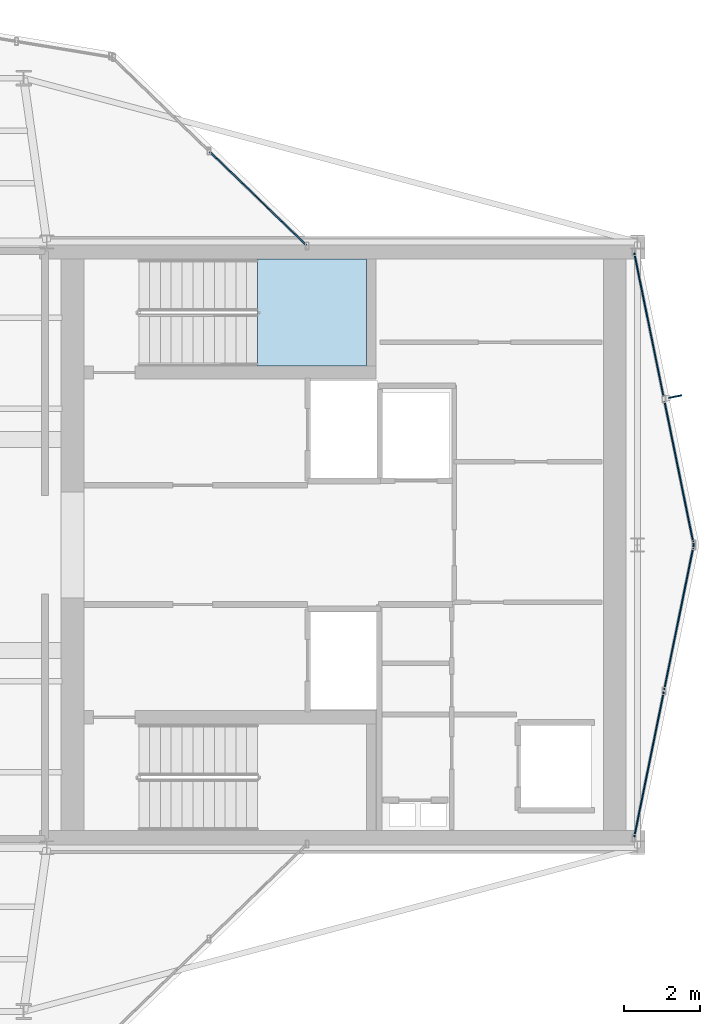
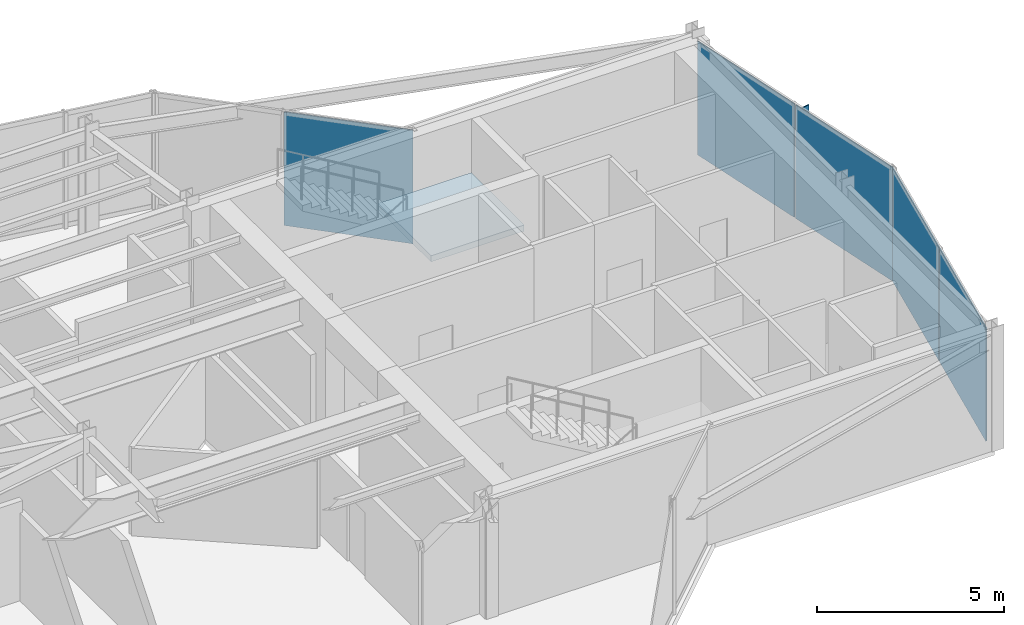
# One storey, part 13 of 16: 6 plates, 1 slab, 4 elements without a shape of their own.
"""IFC4 building model written with IfcOpenShell, lengths in metres."""

from ifc_helpers import new_model, si_unit, direction, frame, origin, origin_2d, place, context, subcontext, project, spatial, polyline, rectangle, outline, extrude, material, layer, layer_set, type_object, element, aggregate, save


model = new_model("IFC4")

# Units and contexts
model_context = context("Model", 3, precision=1e-05, world=origin(), true_north=direction((0.0, 1.0)))
body_context = subcontext(model_context, "Body", "Model", "MODEL_VIEW")
ifc_project = project(units=[si_unit("LENGTHUNIT", "METRE"), si_unit("AREAUNIT", "SQUARE_METRE"), si_unit("VOLUMEUNIT", "CUBIC_METRE"), si_unit("PLANEANGLEUNIT", "RADIAN"), si_unit("MASSUNIT", "GRAM", prefix="KILO")], contexts=[model_context])

# Site, building, storey
site_placement = place(None, origin())
site = spatial("IfcSite", under=ifc_project, at=site_placement, CompositionType="ELEMENT")
building_placement = place(site_placement, origin())
building = spatial("IfcBuilding", under=site, at=building_placement, Name="Veymaron Broadcast Tower", CompositionType="ELEMENT")
storey_placement = place(building_placement, frame((0.0, 0.0, 315.449951171875)))
storey = spatial("IfcBuildingStorey", under=building, at=storey_placement, Name="L74", CompositionType="ELEMENT", Elevation=315.449951171875)

# Curtain wall, plates
ifc_material_1 = material(Name="Anodised aluminium AA 6063-T6 and laminated low-E dark glass", Category="aluminium")
ifc_layer_1 = layer(ifc_material_1, 0.179931640625)
ifc_layer_set_1 = layer_set([ifc_layer_1], Name="Anodised aluminium AA 6063-T6 and laminated low-E dark glass")
curtain_wall_type = type_object("IfcCurtainWallType", Name="CW-SYS-07", PredefinedType="NOTDEFINED", material=ifc_layer_set_1)
curtain_wall_1_placement = place(storey_placement, origin())
curtain_wall_1 = element("IfcCurtainWall", 1, at=curtain_wall_1_placement, inside=storey, type_object=curtain_wall_type, Name="L74 dark-glass curtain wall CW-L74-E10-1", PredefinedType="NOTDEFINED")
ifc_material_2 = material(Name="Triple-laminated solar-control dark glass IGU 36 mm", Category="glass")
ifc_layer_2 = layer(ifc_material_2, 0.035888671875)
ifc_layer_set_2 = layer_set([ifc_layer_2], Name="Triple-laminated solar-control dark glass IGU 36 mm")
plate_type_1 = type_object("IfcPlateType", Name="CW-PNL-01", PredefinedType="CURTAIN_PANEL", material=ifc_layer_set_2)
plate_1_placement = place(storey_placement, frame((54.905517578125, 18.200927734375, 0.0400390625), z_axis=(0.0, 0.0, 1.0), x_axis=(0.199607369238, 0.979875960592, 0.0)))
plate_1 = element("IfcPlate", 2, at=plate_1_placement, type_object=plate_type_1, Name="CW-L74-E10-1 unitised curtain panel 0", PredefinedType="CURTAIN_PANEL", context=body_context, shape_type="SweptSolid", body=[
    extrude(rectangle(XDim=3.904296875, YDim=0.035888671875, at=origin_2d()), origin(), (0.0, 0.0, 1.0), 3.699951171875),
])
plate_2_placement = place(storey_placement, frame((55.69677734375, 22.085693359375, 0.0400390625), z_axis=(0.0, 0.0, 1.0), x_axis=(0.199607369238, 0.979875960592, 0.0)))
plate_2 = element("IfcPlate", 3, at=plate_2_placement, type_object=plate_type_1, Name="CW-L74-E10-1 unitised curtain panel 1", PredefinedType="CURTAIN_PANEL", context=body_context, shape_type="SweptSolid", body=[
    extrude(rectangle(XDim=3.904296875, YDim=0.035888671875, at=origin_2d()), origin(), (0.0, 0.0, 1.0), 3.699951171875),
])
aggregate(curtain_wall_1, [plate_1, plate_2])

curtain_wall_2_placement = place(storey_placement, origin())
curtain_wall_2 = element("IfcCurtainWall", 4, at=curtain_wall_2_placement, inside=storey, type_object=curtain_wall_type, Name="L74 dark-glass curtain wall CW-L74-E11-1", PredefinedType="NOTDEFINED")
plate_3_placement = place(storey_placement, frame((55.69677734375, 25.914306640625, 0.0400390625), z_axis=(0.0, 0.0, 1.0), x_axis=(-0.199607369238, 0.979875960592, 0.0)))
plate_3 = element("IfcPlate", 5, at=plate_3_placement, type_object=plate_type_1, Name="CW-L74-E11-1 unitised curtain panel 0", PredefinedType="CURTAIN_PANEL", context=body_context, shape_type="SweptSolid", body=[
    extrude(rectangle(XDim=3.904296875, YDim=0.035888671875, at=origin_2d()), origin(), (0.0, 0.0, 1.0), 3.699951171875),
])
plate_4_placement = place(storey_placement, frame((54.905517578125, 29.799072265625, 0.0400390625), z_axis=(0.0, 0.0, 1.0), x_axis=(-0.199607369238, 0.979875960592, 0.0)))
plate_4 = element("IfcPlate", 6, at=plate_4_placement, type_object=plate_type_1, Name="CW-L74-E11-1 unitised curtain panel 1", PredefinedType="CURTAIN_PANEL", context=body_context, shape_type="SweptSolid", body=[
    extrude(rectangle(XDim=3.904296875, YDim=0.035888671875, at=origin_2d()), origin(), (0.0, 0.0, 1.0), 3.699951171875),
])
aggregate(curtain_wall_2, [plate_3, plate_4])

# Curtain wall, plate
curtain_wall_3_placement = place(storey_placement, origin())
curtain_wall_3 = element("IfcCurtainWall", 7, at=curtain_wall_3_placement, inside=storey, type_object=curtain_wall_type, Name="L74 dark-glass curtain wall CW-L74-E13-1", PredefinedType="NOTDEFINED")
plate_5_placement = place(storey_placement, frame((44.578369140625, 33.152099609375, 0.0400390625), z_axis=(0.0, 0.0, 1.0), x_axis=(-0.719097275004, 0.694909425092, 0.0)))
plate_5 = element("IfcPlate", 8, at=plate_5_placement, type_object=plate_type_1, Name="CW-L74-E13-1 unitised curtain panel 0", PredefinedType="CURTAIN_PANEL", context=body_context, shape_type="SweptSolid", body=[
    extrude(rectangle(XDim=3.545654296875, YDim=0.035888671875, at=origin_2d()), origin(), (0.0, 0.0, 1.0), 3.699951171875),
])
aggregate(curtain_wall_3, [plate_5])

# Plate
ifc_material_3 = material(Name="Dark-anodised aluminium AA 6061-T6", Category="aluminium")
ifc_layer_3 = layer(ifc_material_3, 0.030029296875)
ifc_layer_set_3 = layer_set([ifc_layer_3], Name="Dark-anodised aluminium AA 6061-T6")
plate_type_2 = type_object("IfcPlateType", Name="FIN-CHEV-02", PredefinedType="USERDEFINED", material=ifc_layer_set_3)
plate_6_placement = place(storey_placement, frame((55.60009765625, 27.91748046875, 0.2646484375), z_axis=(0.0, 0.0, 1.0), x_axis=(0.979875960592, 0.199607369238, 0.0)))
element("IfcPlate", 9, at=plate_6_placement, inside=storey, type_object=plate_type_2, Name="CW-L74-E11-1 chevron fin 1", ObjectType="FIN", PredefinedType="USERDEFINED", context=body_context, shape_type="SweptSolid", body=[
    extrude(rectangle(XDim=0.35009765625, YDim=0.034912109375, at=origin_2d()), origin(), (0.0, 0.0, 1.0), 3.250732421875),
])

# Stair, slab
ifc_material_4 = material(Name="Concrete C50/60", Category="concrete")
stair_type = type_object("IfcStairType", Name="STAIR-CORE-1", PredefinedType="HALF_TURN_STAIR", material=ifc_material_4)
stair_placement = place(storey_placement, origin())
stair = element("IfcStair", 10, at=stair_placement, inside=storey, type_object=stair_type, Name="L74 North protected dog-leg exit stair ST1", PredefinedType="HALF_TURN_STAIR")
ifc_layer_4 = layer(ifc_material_4, 0.199951171875)
ifc_layer_set_4 = layer_set([ifc_layer_4], Name="Concrete C50/60")
slab_type = type_object("IfcSlabType", Name="SLAB-STAIR-LDG", PredefinedType="LANDING", material=ifc_layer_set_4)
slab_placement = place(storey_placement, frame((0.0, 0.0, 1.824951171875)))
slab = element("IfcSlab", 11, at=slab_placement, type_object=slab_type, Name="ST1 landing 1", PredefinedType="LANDING", context=body_context, shape_type="SweptSolid", body=[
    extrude(outline(polyline([(44.56494140625, 28.72998046875), (47.43994140625, 28.72998046875), (47.43994140625, 31.550048828125), (44.56494140625, 31.550048828125), (44.56494140625, 28.72998046875)])), origin(), (0.0, 0.0, 1.0), 0.2001953125),
])
aggregate(stair, [slab])

save(model, "model.ifc")
